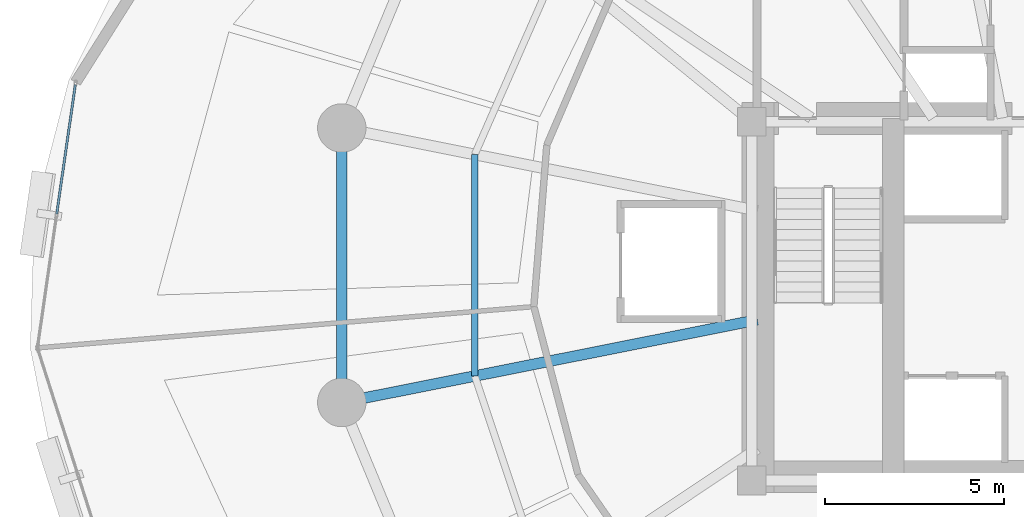
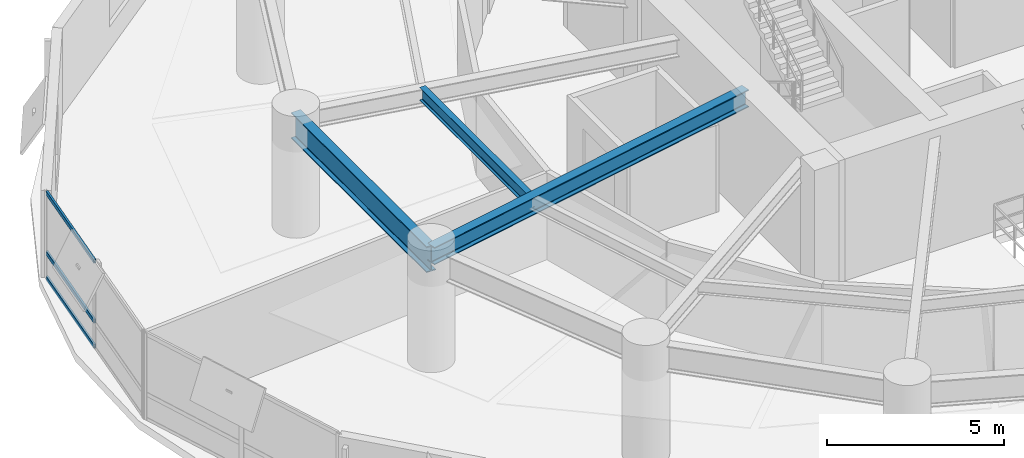
# One storey, part 5 of 16: 3 beams, 3 members, 1 element without a shape of its own.
"""IFC4 building model written with IfcOpenShell, lengths in metres."""

from ifc_helpers import new_model, si_unit, direction, frame, origin, origin_2d, place, context, subcontext, project, spatial, hollow_rectangle, i_section, extrude, material, layer, layer_set, material_profile, profile_set, type_object, element, aggregate, save


model = new_model("IFC4")

# Units and contexts
model_context = context("Model", 3, precision=1e-05, world=origin(), true_north=direction((0.0, 1.0)))
body_context = subcontext(model_context, "Body", "Model", "MODEL_VIEW")
ifc_project = project(units=[si_unit("LENGTHUNIT", "METRE"), si_unit("AREAUNIT", "SQUARE_METRE"), si_unit("VOLUMEUNIT", "CUBIC_METRE"), si_unit("PLANEANGLEUNIT", "RADIAN"), si_unit("MASSUNIT", "GRAM", prefix="KILO"), si_unit("THERMODYNAMICTEMPERATUREUNIT", "KELVIN"), si_unit("POWERUNIT", "WATT")], contexts=[model_context])

# Site, building, storey
site_placement = place(None, origin())
site = spatial("IfcSite", under=ifc_project, at=site_placement, CompositionType="ELEMENT")
building_placement = place(site_placement, origin())
building = spatial("IfcBuilding", under=site, at=building_placement, Name="Ocrelia Relay Tower", CompositionType="ELEMENT")
storey_placement = place(building_placement, frame((0.0, 0.0, 51.0)))
storey = spatial("IfcBuildingStorey", under=building, at=storey_placement, Name="L11", CompositionType="ELEMENT", Elevation=51.0)

# Beams
ifc_material_1 = material(Name="Steel S355", Category="steel")
ifc_material_profile_1 = material_profile(ifc_material_1, i_section(OverallWidth=0.300048828125, OverallDepth=0.60009765625, WebThickness=0.015380859375, FlangeThickness=0.030029296875, FilletRadius=0.027099609375, at=origin_2d()), Name="HEB 600")
ifc_profile_set_1 = profile_set([ifc_material_profile_1], Name="Steel S355")
beam_type_1 = type_object("IfcBeamType", Name="BM-HEB600", PredefinedType="BEAM", material=ifc_profile_set_1)
beam_1_placement = place(storey_placement, frame((14.776611328125, 22.17626953125, 3.6201171875), z_axis=(0.980786938484, 0.195081986098, 0.0), x_axis=(-0.195081986098, 0.980786938484, 0.0)))
element("IfcBeam", 1, at=beam_1_placement, inside=storey, type_object=beam_type_1, Name="L11 Radial Floor Girder R09", PredefinedType="BEAM", context=body_context, shape_type="SweptSolid", body=[
    extrude(i_section(OverallWidth=0.300048828125, OverallDepth=0.60009765625, WebThickness=0.015380859375, FlangeThickness=0.030029296875, FilletRadius=0.027099609375, at=origin_2d()), origin(), (0.0, 0.0, 1.0), 11.80517578125),
])
ifc_material_profile_2 = material_profile(ifc_material_1, i_section(OverallWidth=0.300048828125, OverallDepth=0.89990234375, WebThickness=0.0185546875, FlangeThickness=0.034912109375, FilletRadius=0.030029296875, at=origin_2d()), Name="HEB 900")
ifc_profile_set_2 = profile_set([ifc_material_profile_2], Name="Steel S355")
beam_type_2 = type_object("IfcBeamType", Name="BM-HEB900", PredefinedType="BEAM", material=ifc_profile_set_2)
beam_2_placement = place(storey_placement, frame((14.776611328125, 29.82373046875, 3.469970703125), z_axis=(0.0, -1.0, 0.0), x_axis=(1.0, 0.0, 0.0)))
element("IfcBeam", 2, at=beam_2_placement, inside=storey, type_object=beam_type_2, Name="L11 Perimeter Spandrel Beam S08", PredefinedType="BEAM", context=body_context, shape_type="SweptSolid", body=[
    extrude(i_section(OverallWidth=0.300048828125, OverallDepth=0.89990234375, WebThickness=0.0185546875, FlangeThickness=0.034912109375, FilletRadius=0.030029296875, at=origin_2d()), origin(), (0.0, 0.0, 1.0), 7.6474609375),
])
ifc_material_profile_3 = material_profile(ifc_material_1, i_section(OverallWidth=0.18994140625, OverallDepth=0.449951171875, WebThickness=0.009521484375, FlangeThickness=0.0146484375, FilletRadius=0.02099609375, at=origin_2d()), Name="IPE 450")
ifc_profile_set_3 = profile_set([ifc_material_profile_3], Name="Steel S355")
beam_type_3 = type_object("IfcBeamType", Name="BM-IPE450", PredefinedType="JOIST", material=ifc_profile_set_3)
beam_3_placement = place(storey_placement, frame((18.481689453125, 29.0869140625, 3.695068359375), z_axis=(0.0, -1.0, 0.0), x_axis=(1.0, 0.0, 0.0)))
element("IfcBeam", 3, at=beam_3_placement, inside=storey, type_object=beam_type_3, Name="L11 Secondary Floor Joist J08", PredefinedType="JOIST", context=body_context, shape_type="SweptSolid", body=[
    extrude(i_section(OverallWidth=0.18994140625, OverallDepth=0.449951171875, WebThickness=0.009521484375, FlangeThickness=0.0146484375, FilletRadius=0.02099609375, at=origin_2d()), origin(), (0.0, 0.0, 1.0), 6.173828125),
])

# Curtain wall, members
ifc_material_2 = material(Name="Aluminium and solar-control low-E glass", Category="aluminium")
ifc_layer = layer(ifc_material_2, 0.179931640625, Name="Aluminium and solar-control low-E glass")
ifc_layer_set = layer_set([ifc_layer], Name="Aluminium and solar-control low-E glass")
curtain_wall_type = type_object("IfcCurtainWallType", Name="CW-SYS-Z1-DATA", PredefinedType="NOTDEFINED", material=ifc_layer_set)
curtain_wall_placement = place(storey_placement, origin())
curtain_wall = element("IfcCurtainWall", 4, at=curtain_wall_placement, inside=storey, type_object=curtain_wall_type, Name="L11 Elliptical Tower Curtain Wall Bay 09", PredefinedType="NOTDEFINED")
ifc_material_3 = material(Name="Anodised bronze aluminium", Category="aluminium")
ifc_material_profile_4 = material_profile(ifc_material_3, hollow_rectangle(XDim=0.06494140625, YDim=0.139892578125, WallThickness=0.0048828125, at=origin_2d()), Name="CW-TRN-140x65")
ifc_profile_set_4 = profile_set([ifc_material_profile_4], Name="Anodised bronze aluminium")
member_type = type_object("IfcMemberType", Name="CW-SYS-Z1-DATA-TRN", PredefinedType="USERDEFINED", material=ifc_profile_set_4)
member_1_placement = place(storey_placement, frame((7.35302734375, 31.027587890625, 0.032470703125), z_axis=(-0.142804235243, -0.989750953724, 0.0), x_axis=(0.989750953724, -0.142804235243, 0.0)))
member_1 = element("IfcMember", 5, at=member_1_placement, type_object=member_type, Name="CW-Z1 transom 1.1", ObjectType="TRANSOM", PredefinedType="USERDEFINED", context=body_context, shape_type="SweptSolid", body=[
    extrude(hollow_rectangle(XDim=0.06494140625, YDim=0.139892578125, WallThickness=0.0048828125, at=origin_2d()), origin(), (0.0, 0.0, 1.0), 3.633056640625),
])
member_2_placement = place(storey_placement, frame((7.35302734375, 31.027587890625, 0.89990234375), z_axis=(-0.142804235243, -0.989750953724, 0.0), x_axis=(0.989750953724, -0.142804235243, 0.0)))
member_2 = element("IfcMember", 6, at=member_2_placement, type_object=member_type, Name="CW-Z1 transom 1.2", ObjectType="TRANSOM", PredefinedType="USERDEFINED", context=body_context, shape_type="SweptSolid", body=[
    extrude(hollow_rectangle(XDim=0.06494140625, YDim=0.139892578125, WallThickness=0.0048828125, at=origin_2d()), origin(), (0.0, 0.0, 1.0), 3.633056640625),
])
member_3_placement = place(storey_placement, frame((7.35302734375, 31.027587890625, 2.967529296875), z_axis=(-0.142804235243, -0.989750953724, 0.0), x_axis=(0.989750953724, -0.142804235243, 0.0)))
member_3 = element("IfcMember", 7, at=member_3_placement, type_object=member_type, Name="CW-Z1 transom 1.3", ObjectType="TRANSOM", PredefinedType="USERDEFINED", context=body_context, shape_type="SweptSolid", body=[
    extrude(hollow_rectangle(XDim=0.06494140625, YDim=0.139892578125, WallThickness=0.0048828125, at=origin_2d()), origin(), (0.0, 0.0, 1.0), 3.633056640625),
])
aggregate(curtain_wall, [member_1, member_2, member_3])

save(model, "model.ifc")
